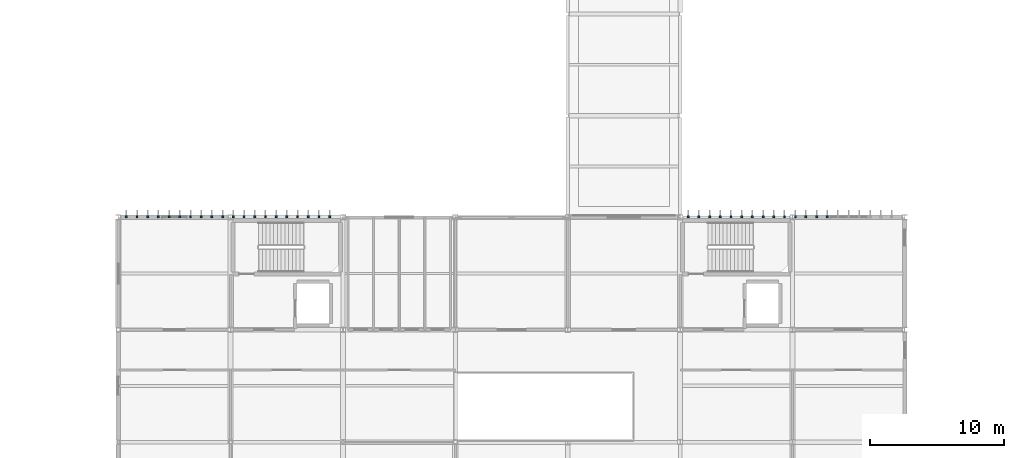
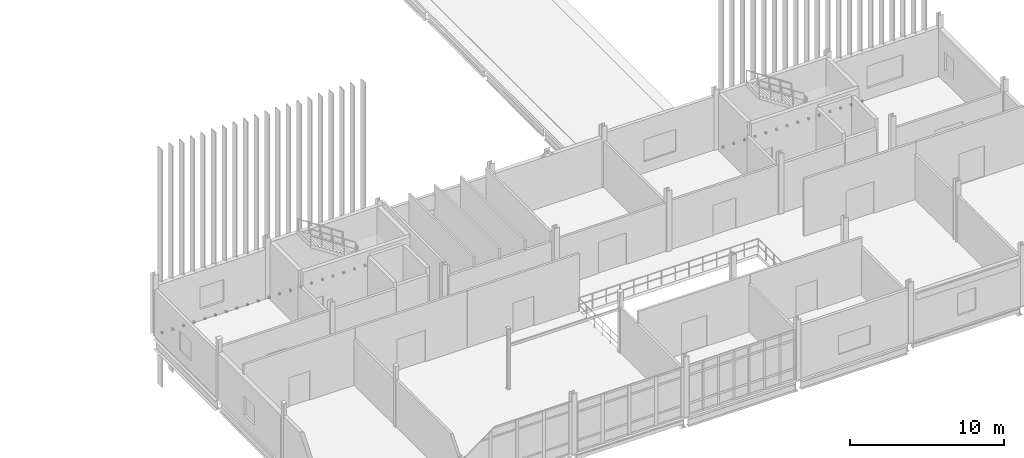
# One storey, part 57 of 72: 34 discrete accessories.
"""IFC4 building model written with IfcOpenShell, lengths in metres."""

from ifc_helpers import new_model, si_unit, direction, frame, origin, origin_2d, place, context, subcontext, project, spatial, rectangle, extrude, material, type_object, element, save


model = new_model("IFC4")

# Units and contexts
model_context = context("Model", 3, precision=1e-05, world=origin(), true_north=direction((0.0, 1.0)))
body_context = subcontext(model_context, "Body", "Model", "MODEL_VIEW")
ifc_project = project(units=[si_unit("LENGTHUNIT", "METRE"), si_unit("AREAUNIT", "SQUARE_METRE"), si_unit("VOLUMEUNIT", "CUBIC_METRE"), si_unit("PLANEANGLEUNIT", "RADIAN"), si_unit("MASSUNIT", "GRAM", prefix="KILO")], contexts=[model_context])

# Site, building, storey
site_placement = place(None, origin())
site = spatial("IfcSite", under=ifc_project, at=site_placement, CompositionType="ELEMENT")
building_placement = place(site_placement, origin())
building = spatial("IfcBuilding", under=site, at=building_placement, Name="Calvrana Isthmian Art Gallery", CompositionType="ELEMENT")
storey_placement = place(building_placement, frame((0.0, 0.0, 15.0)))
storey = spatial("IfcBuildingStorey", under=building, at=storey_placement, Name="L03", CompositionType="ELEMENT", Elevation=15.0)

# Discrete accessories
ifc_material = material(Name="Stainless steel 316", Category="steel")
discrete_accessory_type = type_object("IfcDiscreteAccessoryType", Name="ACC-BRK-FIN", PredefinedType="BRACKET", material=ifc_material)
for number, where, z_axis, x_axis, name in (
    (1, (64.199951171875, 46.840087890625, -0.2001953125), (0.0, 0.0, 1.0), (1.0, 0.0, 0.0), "Solar fin outrigger bracket V1_NE-000"),
    (2, (65.0, 46.840087890625, -0.2001953125), (0.0, 0.0, 1.0), (1.0, 0.0, 0.0), "Solar fin outrigger bracket V1_NE-001"),
    (3, (65.800048828125, 46.840087890625, -0.2001953125), (0.0, 0.0, 1.0), (1.0, 0.0, 0.0), "Solar fin outrigger bracket V1_NE-002"),
    (4, (66.60009765625, 46.840087890625, -0.2001953125), (0.0, 0.0, 1.0), (1.0, 0.0, 0.0), "Solar fin outrigger bracket V1_NE-003"),
    (5, (67.39990234375, 46.840087890625, -0.2001953125), (0.0, 0.0, 1.0), (1.0, 0.0, 0.0), "Solar fin outrigger bracket V1_NE-004"),
    (6, (68.199951171875, 46.840087890625, -0.2001953125), (0.0, 0.0, 1.0), (1.0, 0.0, 0.0), "Solar fin outrigger bracket V1_NE-005"),
    (7, (69.0, 46.840087890625, -0.2001953125), (0.0, 0.0, 1.0), (1.0, 0.0, 0.0), "Solar fin outrigger bracket V1_NE-006"),
    (8, (69.800048828125, 46.840087890625, -0.2001953125), (0.0, 0.0, 1.0), (1.0, 0.0, 0.0), "Solar fin outrigger bracket V1_NE-007"),
    (9, (70.60009765625, 46.840087890625, -0.2001953125), (0.0, 0.0, 1.0), (1.0, 0.0, 0.0), "Solar fin outrigger bracket V1_NE-008"),
    (10, (71.39990234375, 46.840087890625, -0.2001953125), (0.0, 0.0, 1.0), (1.0, 0.0, 0.0), "Solar fin outrigger bracket V1_NE-009"),
    (11, (72.199951171875, 46.840087890625, -0.2001953125), (0.0, 0.0, 1.0), (1.0, 0.0, 0.0), "Solar fin outrigger bracket V1_NE-010"),
    (12, (73.0, 46.840087890625, -0.2001953125), (0.0, 0.0, 1.0), (1.0, 0.0, 0.0), "Solar fin outrigger bracket V1_NE-011"),
    (13, (73.800048828125, 46.840087890625, -0.2001953125), (0.0, 0.0, 1.0), (1.0, 0.0, 0.0), "Solar fin outrigger bracket V1_NE-012"),
    (14, (74.60009765625, 46.840087890625, -0.2001953125), (0.0, 0.0, 1.0), (1.0, 0.0, 0.0), "Solar fin outrigger bracket V1_NE-013"),
    (15, (22.199951171875, 46.840087890625, -0.2001953125), (0.0, 0.0, 1.0), (1.0, 0.0, 0.0), "Solar fin outrigger bracket V1_NW-000"),
    (16, (23.0, 46.840087890625, -0.2001953125), (0.0, 0.0, 1.0), (1.0, 0.0, 0.0), "Solar fin outrigger bracket V1_NW-001"),
    (17, (23.800048828125, 46.840087890625, -0.2001953125), (0.0, 0.0, 1.0), (1.0, 0.0, 0.0), "Solar fin outrigger bracket V1_NW-002"),
    (18, (24.60009765625, 46.840087890625, -0.2001953125), (0.0, 0.0, 1.0), (1.0, 0.0, 0.0), "Solar fin outrigger bracket V1_NW-003"),
    (19, (25.39990234375, 46.840087890625, -0.2001953125), (0.0, 0.0, 1.0), (1.0, 0.0, 0.0), "Solar fin outrigger bracket V1_NW-004"),
    (20, (26.199951171875, 46.840087890625, -0.2001953125), (0.0, 0.0, 1.0), (1.0, 0.0, 0.0), "Solar fin outrigger bracket V1_NW-005"),
    (21, (27.0, 46.840087890625, -0.2001953125), (0.0, 0.0, 1.0), (1.0, 0.0, 0.0), "Solar fin outrigger bracket V1_NW-006"),
    (22, (27.800048828125, 46.840087890625, -0.2001953125), (0.0, 0.0, 1.0), (1.0, 0.0, 0.0), "Solar fin outrigger bracket V1_NW-007"),
    (23, (28.60009765625, 46.840087890625, -0.2001953125), (0.0, 0.0, 1.0), (1.0, 0.0, 0.0), "Solar fin outrigger bracket V1_NW-008"),
    (24, (29.39990234375, 46.840087890625, -0.2001953125), (0.0, 0.0, 1.0), (1.0, 0.0, 0.0), "Solar fin outrigger bracket V1_NW-009"),
    (25, (30.199951171875, 46.840087890625, -0.2001953125), (0.0, 0.0, 1.0), (1.0, 0.0, 0.0), "Solar fin outrigger bracket V1_NW-010"),
    (26, (31.0, 46.840087890625, -0.2001953125), (0.0, 0.0, 1.0), (1.0, 0.0, 0.0), "Solar fin outrigger bracket V1_NW-011"),
    (27, (31.800048828125, 46.840087890625, -0.2001953125), (0.0, 0.0, 1.0), (1.0, 0.0, 0.0), "Solar fin outrigger bracket V1_NW-012"),
    (28, (32.60009765625, 46.840087890625, -0.2001953125), (0.0, 0.0, 1.0), (1.0, 0.0, 0.0), "Solar fin outrigger bracket V1_NW-013"),
    (29, (33.39990234375, 46.840087890625, -0.2001953125), (0.0, 0.0, 1.0), (1.0, 0.0, 0.0), "Solar fin outrigger bracket V1_NW-014"),
    (30, (34.199951171875, 46.840087890625, -0.2001953125), (0.0, 0.0, 1.0), (1.0, 0.0, 0.0), "Solar fin outrigger bracket V1_NW-015"),
    (31, (35.0, 46.840087890625, -0.2001953125), (0.0, 0.0, 1.0), (1.0, 0.0, 0.0), "Solar fin outrigger bracket V1_NW-016"),
    (32, (35.800048828125, 46.840087890625, -0.2001953125), (0.0, 0.0, 1.0), (1.0, 0.0, 0.0), "Solar fin outrigger bracket V1_NW-017"),
    (33, (36.60009765625, 46.840087890625, -0.2001953125), (0.0, 0.0, 1.0), (1.0, 0.0, 0.0), "Solar fin outrigger bracket V1_NW-018"),
    (34, (37.39990234375, 46.840087890625, -0.2001953125), (0.0, 0.0, 1.0), (1.0, 0.0, 0.0), "Solar fin outrigger bracket V1_NW-019"),
):
    element("IfcDiscreteAccessory", number, at=place(storey_placement, frame(where, z_axis=z_axis, x_axis=x_axis)), inside=storey, type_object=discrete_accessory_type, Name=name, PredefinedType="BRACKET", context=body_context, shape_type="SweptSolid", body=[
        extrude(rectangle(XDim=0.139892578125, YDim=0.159912109375, at=origin_2d()), origin(), (0.0, 0.0, 1.0), 0.159912109375),
    ])

save(model, "model.ifc")
